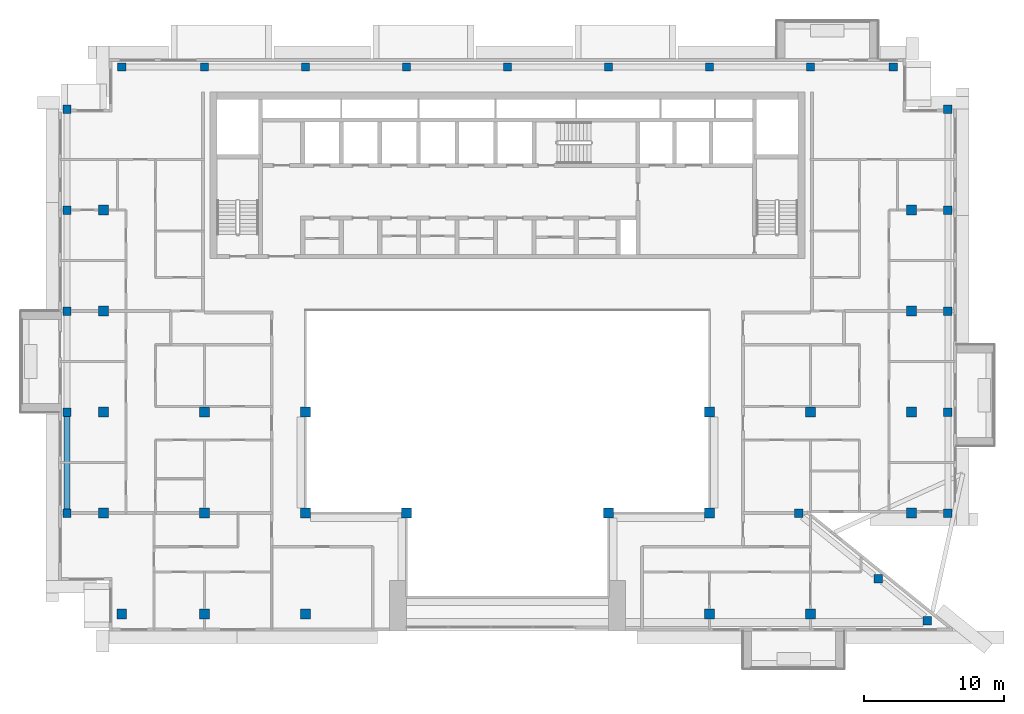
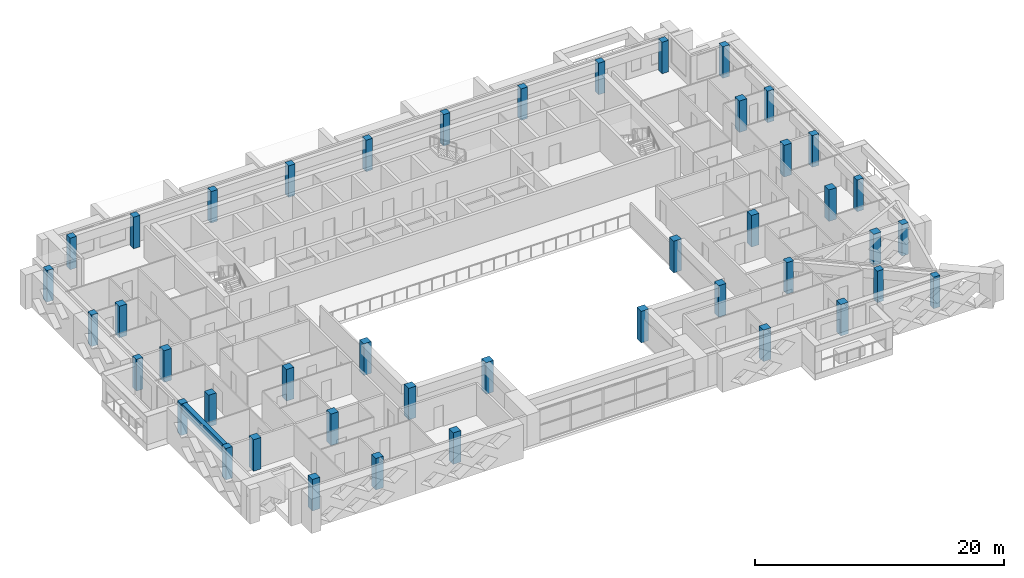
# One storey, part 1 of 19: 44 columns, 1 beam.
"""IFC4 building model written with IfcOpenShell, lengths in metres."""

from ifc_helpers import new_model, si_unit, direction, frame, origin, origin_2d, place, context, subcontext, project, spatial, rectangle, extrude, source, transform, mapped, material, material_profile, profile_set, type_object, element, save


model = new_model("IFC4")

# Units and contexts
model_context = context("Model", 3, precision=1e-05, world=origin(), true_north=direction((0.0, 1.0)))
body_context = subcontext(model_context, "Body", "Model", "MODEL_VIEW")
ifc_project = project(units=[si_unit("LENGTHUNIT", "METRE"), si_unit("AREAUNIT", "SQUARE_METRE"), si_unit("VOLUMEUNIT", "CUBIC_METRE"), si_unit("PLANEANGLEUNIT", "RADIAN"), si_unit("MASSUNIT", "GRAM", prefix="KILO")], contexts=[model_context])

# Site, building, storey
site_placement = place(None, origin())
site = spatial("IfcSite", under=ifc_project, at=site_placement, CompositionType="ELEMENT")
building_placement = place(site_placement, origin())
building = spatial("IfcBuilding", under=site, at=building_placement, Name="Saffron Iwan Residences", CompositionType="ELEMENT")
storey_placement = place(building_placement, frame((0.0, 0.0, 267.5)))
storey = spatial("IfcBuildingStorey", under=building, at=storey_placement, Name="L72", CompositionType="ELEMENT", Elevation=267.5)

# Columns
ifc_material = material(Name="Concrete C40/50", Category="concrete")
ifc_material_profile_1 = material_profile(ifc_material, rectangle(XDim=0.60009765625, YDim=0.60009765625, at=origin_2d()), Name="RC 600x600")
ifc_profile_set_1 = profile_set([ifc_material_profile_1], Name="Concrete C40/50")
column_type_1 = type_object("IfcColumnType", Name="COL RC 600x600 C40/50 3099 HIGH", PredefinedType="COLUMN", material=ifc_profile_set_1)
shared_shape_1 = source(origin(), body_context, "Body", "SweptSolid", [
    extrude(rectangle(XDim=0.60009765625, YDim=0.60009765625, at=origin_2d()), origin(), (0.0, 0.0, 1.0), 3.09912109375),
])
for number, where, z_axis, x_axis, name in (
    (1, (80.32568359375, 40.3330078125, 0.0), (0.0, 0.0, 1.0), (1.0, 0.0, 0.0), "Column C046"),
    (2, (76.822998046875, 43.333251953125, 0.0), (0.0, 0.0, 1.0), (1.0, 0.0, 0.0), "Column C057"),
    (3, (19.0, 48.0, 0.0), (0.0, 0.0, 1.0), (1.0, 0.0, 0.0), "Column C062"),
    (4, (71.14990234375, 48.0, 0.0), (0.0, 0.0, 1.0), (1.0, 0.0, 0.0), "Column C070"),
    (5, (81.800048828125, 48.0, 0.0), (0.0, 0.0, 1.0), (1.0, 0.0, 0.0), "Column C073"),
    (6, (19.0, 55.199951171875, 0.0), (0.0, 0.0, 1.0), (1.0, 0.0, 0.0), "Column C078"),
    (7, (81.800048828125, 55.199951171875, 0.0), (0.0, 0.0, 1.0), (1.0, 0.0, 0.0), "Column C085"),
    (8, (19.0, 62.39990234375, 0.0), (0.0, 0.0, 1.0), (1.0, 0.0, 0.0), "Column C090"),
    (9, (81.800048828125, 62.39990234375, 0.0), (0.0, 0.0, 1.0), (1.0, 0.0, 0.0), "Column C093"),
    (10, (19.0, 69.60009765625, 0.0), (0.0, 0.0, 1.0), (1.0, 0.0, 0.0), "Column C098"),
    (11, (81.800048828125, 69.60009765625, 0.0), (0.0, 0.0, 1.0), (1.0, 0.0, 0.0), "Column C101"),
    (12, (19.0, 76.800048828125, 0.0), (0.0, 0.0, 1.0), (1.0, 0.0, 0.0), "Column C106"),
    (13, (81.800048828125, 76.800048828125, 0.0), (0.0, 0.0, 1.0), (1.0, 0.0, 0.0), "Column C109"),
    (14, (22.89990234375, 79.800048828125, 0.0), (0.0, 0.0, 1.0), (1.0, 0.0, 0.0), "Column C114"),
    (15, (28.800048828125, 79.800048828125, 0.0), (0.0, 0.0, 1.0), (1.0, 0.0, 0.0), "Column C115"),
    (16, (36.0, 79.800048828125, 0.0), (0.0, 0.0, 1.0), (1.0, 0.0, 0.0), "Column C116"),
    (17, (43.199951171875, 79.800048828125, 0.0), (0.0, 0.0, 1.0), (1.0, 0.0, 0.0), "Column C117"),
    (18, (50.39990234375, 79.800048828125, 0.0), (0.0, 0.0, 1.0), (1.0, 0.0, 0.0), "Column C118"),
    (19, (57.60009765625, 79.800048828125, 0.0), (0.0, 0.0, 1.0), (1.0, 0.0, 0.0), "Column C119"),
    (20, (64.800048828125, 79.800048828125, 0.0), (0.0, 0.0, 1.0), (1.0, 0.0, 0.0), "Column C120"),
    (21, (72.0, 79.800048828125, 0.0), (0.0, 0.0, 1.0), (1.0, 0.0, 0.0), "Column C121"),
    (22, (77.89990234375, 79.800048828125, 0.0), (0.0, 0.0, 1.0), (1.0, 0.0, 0.0), "Column C122"),
):
    element("IfcColumn", number, at=place(storey_placement, frame(where, z_axis=z_axis, x_axis=x_axis)), inside=storey, type_object=column_type_1, Name=name, PredefinedType="COLUMN", context=body_context, shape_type="MappedRepresentation", body=[
        mapped(shared_shape_1, transform((0.0, 0.0, 0.0))),
    ])
ifc_material_profile_2 = material_profile(ifc_material, rectangle(XDim=0.699951171875, YDim=0.699951171875, at=origin_2d()), Name="RC 700x700")
ifc_profile_set_2 = profile_set([ifc_material_profile_2], Name="Concrete C40/50")
column_type_2 = type_object("IfcColumnType", Name="COL RC 700x700 C40/50 3099 HIGH", PredefinedType="COLUMN", material=ifc_profile_set_2)
shared_shape_2 = source(origin(), body_context, "Body", "SweptSolid", [
    extrude(rectangle(XDim=0.699951171875, YDim=0.699951171875, at=origin_2d()), origin(), (0.0, 0.0, 1.0), 3.09912109375),
])
for number, where, z_axis, x_axis, name in (
    (23, (22.89990234375, 40.800048828125, 0.0), (0.0, 0.0, 1.0), (1.0, 0.0, 0.0), "Column C050"),
    (24, (28.800048828125, 40.800048828125, 0.0), (0.0, 0.0, 1.0), (1.0, 0.0, 0.0), "Column C051"),
    (25, (36.0, 40.800048828125, 0.0), (0.0, 0.0, 1.0), (1.0, 0.0, 0.0), "Column C052"),
    (26, (64.800048828125, 40.800048828125, 0.0), (0.0, 0.0, 1.0), (1.0, 0.0, 0.0), "Column C055"),
    (27, (72.0, 40.800048828125, 0.0), (0.0, 0.0, 1.0), (1.0, 0.0, 0.0), "Column C056"),
    (28, (21.60009765625, 48.0, 0.0), (0.0, 0.0, 1.0), (1.0, 0.0, 0.0), "Column C063"),
    (29, (28.800048828125, 48.0, 0.0), (0.0, 0.0, 1.0), (1.0, 0.0, 0.0), "Column C064"),
    (30, (36.0, 48.0, 0.0), (0.0, 0.0, 1.0), (1.0, 0.0, 0.0), "Column C065"),
    (31, (43.199951171875, 48.0, 0.0), (0.0, 0.0, 1.0), (1.0, 0.0, 0.0), "Column C066"),
    (32, (57.60009765625, 48.0, 0.0), (0.0, 0.0, 1.0), (1.0, 0.0, 0.0), "Column C068"),
    (33, (64.800048828125, 48.0, 0.0), (0.0, 0.0, 1.0), (1.0, 0.0, 0.0), "Column C069"),
    (34, (79.199951171875, 48.0, 0.0), (0.0, 0.0, 1.0), (1.0, 0.0, 0.0), "Column C072"),
    (35, (21.60009765625, 55.199951171875, 0.0), (0.0, 0.0, 1.0), (1.0, 0.0, 0.0), "Column C079"),
    (36, (28.800048828125, 55.199951171875, 0.0), (0.0, 0.0, 1.0), (1.0, 0.0, 0.0), "Column C080"),
    (37, (36.0, 55.199951171875, 0.0), (0.0, 0.0, 1.0), (1.0, 0.0, 0.0), "Column C081"),
    (38, (64.800048828125, 55.199951171875, 0.0), (0.0, 0.0, 1.0), (1.0, 0.0, 0.0), "Column C082"),
    (39, (72.0, 55.199951171875, 0.0), (0.0, 0.0, 1.0), (1.0, 0.0, 0.0), "Column C083"),
    (40, (79.199951171875, 55.199951171875, 0.0), (0.0, 0.0, 1.0), (1.0, 0.0, 0.0), "Column C084"),
    (41, (21.60009765625, 62.39990234375, 0.0), (0.0, 0.0, 1.0), (1.0, 0.0, 0.0), "Column C091"),
    (42, (79.199951171875, 62.39990234375, 0.0), (0.0, 0.0, 1.0), (1.0, 0.0, 0.0), "Column C092"),
    (43, (21.60009765625, 69.60009765625, 0.0), (0.0, 0.0, 1.0), (1.0, 0.0, 0.0), "Column C099"),
    (44, (79.199951171875, 69.60009765625, 0.0), (0.0, 0.0, 1.0), (1.0, 0.0, 0.0), "Column C100"),
):
    element("IfcColumn", number, at=place(storey_placement, frame(where, z_axis=z_axis, x_axis=x_axis)), inside=storey, type_object=column_type_2, Name=name, PredefinedType="COLUMN", context=body_context, shape_type="MappedRepresentation", body=[
        mapped(shared_shape_2, transform((0.0, 0.0, 0.0))),
    ])

# Beam
ifc_material_profile_3 = material_profile(ifc_material, rectangle(XDim=0.39990234375, YDim=0.89990234375, at=origin_2d()), Name="RC 400x900")
ifc_profile_set_3 = profile_set([ifc_material_profile_3], Name="Concrete C40/50")
beam_type = type_object("IfcBeamType", Name="SPANDREL BEAM RC 400x900 C40/50 TOP 3099", PredefinedType="SPANDREL", material=ifc_profile_set_3)
shared_shape_3 = source(origin(), body_context, "Body", "SweptSolid", [
    extrude(rectangle(XDim=0.39990234375, YDim=0.89990234375, at=origin_2d()), origin(), (0.0, 0.0, 1.0), 6.599853515625),
])
beam_placement = place(storey_placement, frame((19.0, 48.300048828125, 2.64892578125), z_axis=(0.0, 1.0, 0.0), x_axis=(-1.0, 0.0, 0.0)))
element("IfcBeam", 45, at=beam_placement, inside=storey, type_object=beam_type, Name="Spandrel beam", PredefinedType="SPANDREL", context=body_context, shape_type="MappedRepresentation", body=[
    mapped(shared_shape_3, transform((0.0, 0.0, 0.0))),
])

save(model, "model.ifc")
